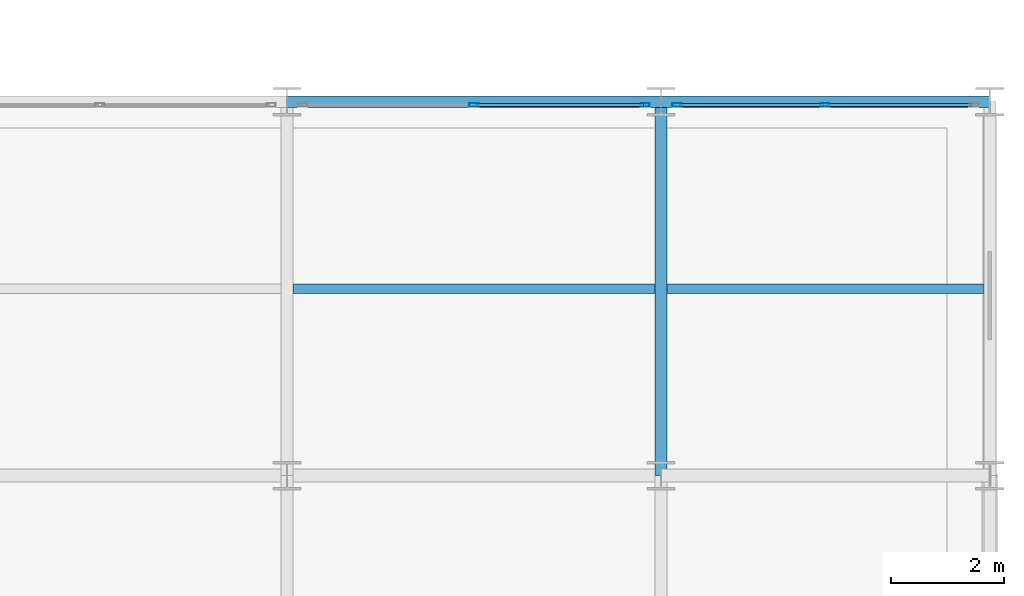
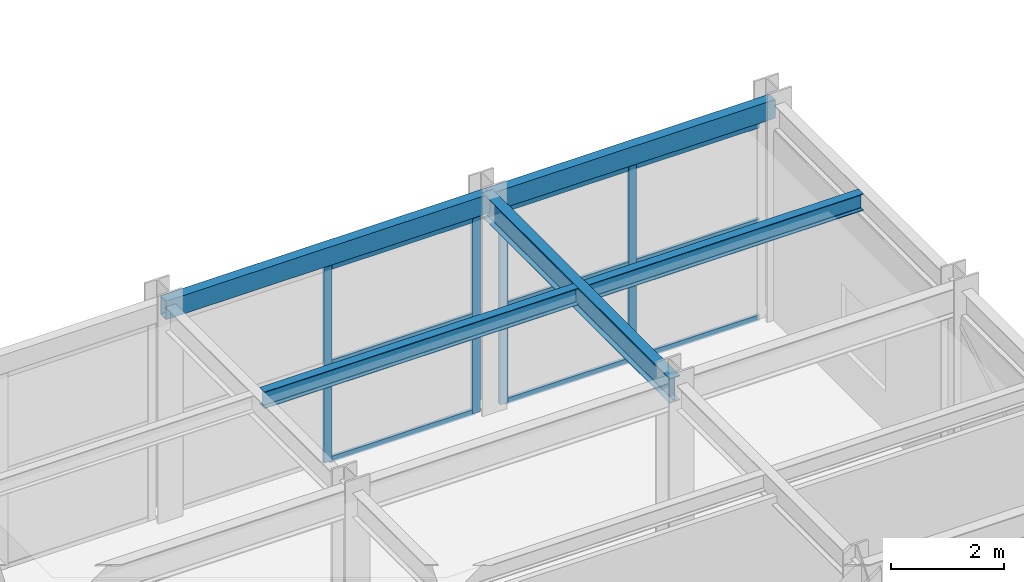
# One storey, part 96 of 144: 13 members, 5 beams, 2 elements without a shape of their own.
"""IFC4 building model written with IfcOpenShell, lengths in metres."""

from ifc_helpers import new_model, si_unit, direction, frame, origin, origin_2d, place, context, subcontext, project, spatial, hollow_rectangle, i_section, extrude, material, material_profile, profile_set, type_object, element, aggregate, save


model = new_model("IFC4")

# Units and contexts
model_context = context("Model", 3, precision=1e-05, world=origin(), true_north=direction((0.0, 1.0)))
body_context = subcontext(model_context, "Body", "Model", "MODEL_VIEW")
ifc_project = project(units=[si_unit("LENGTHUNIT", "METRE"), si_unit("AREAUNIT", "SQUARE_METRE"), si_unit("VOLUMEUNIT", "CUBIC_METRE"), si_unit("PLANEANGLEUNIT", "RADIAN"), si_unit("MASSUNIT", "GRAM", prefix="KILO")], contexts=[model_context])

# Site, building, storey
site_placement = place(None, origin())
site = spatial("IfcSite", under=ifc_project, at=site_placement, CompositionType="ELEMENT")
building_placement = place(site_placement, origin())
building = spatial("IfcBuilding", under=site, at=building_placement, Name="Karori Crest Natural Sciences Institute", CompositionType="ELEMENT")
storey_placement = place(building_placement, origin())
storey = spatial("IfcBuildingStorey", under=building, at=storey_placement, Name="L00", CompositionType="ELEMENT", Elevation=0.0)

# Beams
ifc_material_1 = material(Name="Structural steel AS/NZS 3679.1 Grade 350", Category="steel")
ifc_material_profile_1 = material_profile(ifc_material_1, i_section(OverallWidth=0.208984375, OverallDepth=0.532958984375, WebThickness=0.01025390625, FlangeThickness=0.015625, FilletRadius=0.013916015625, at=origin_2d()), Name="530UB92.4")
ifc_profile_set_1 = profile_set([ifc_material_profile_1], Name="Structural steel AS/NZS 3679.1 Grade 350")
beam_type_1 = type_object("IfcBeamType", Name="BT-05", PredefinedType="BEAM", material=ifc_profile_set_1)
beam_1_placement = place(storey_placement, frame((156.39990234375, 14.0, 4.353515625), z_axis=(0.0, 1.0, 0.0), x_axis=(-1.0, 0.0, 0.0)))
element("IfcBeam", 1, at=beam_1_placement, inside=storey, type_object=beam_type_1, Name="Beam B-2081", PredefinedType="BEAM", context=body_context, shape_type="SweptSolid", body=[
    extrude(i_section(OverallWidth=0.208984375, OverallDepth=0.532958984375, WebThickness=0.01025390625, FlangeThickness=0.015625, FilletRadius=0.013916015625, at=origin_2d()), origin(), (0.0, 0.0, 1.0), 6.60009765625),
])
ifc_material_profile_2 = material_profile(ifc_material_1, i_section(OverallWidth=0.172119140625, OverallDepth=0.35888671875, WebThickness=0.008056640625, FlangeThickness=0.012939453125, FilletRadius=0.010986328125, at=origin_2d()), Name="360UB56.7")
ifc_profile_set_2 = profile_set([ifc_material_profile_2], Name="Structural steel AS/NZS 3679.1 Grade 350")
beam_type_2 = type_object("IfcBeamType", Name="BT-08", PredefinedType="BEAM", material=ifc_profile_set_2)
beam_2_placement = place(storey_placement, frame((149.904541015625, 17.300048828125, 4.4404296875), z_axis=(1.0, 0.0, 0.0), x_axis=(0.0, 1.0, 0.0)))
element("IfcBeam", 2, at=beam_2_placement, inside=storey, type_object=beam_type_2, Name="Beam B-2105", PredefinedType="BEAM", context=body_context, shape_type="SweptSolid", body=[
    extrude(i_section(OverallWidth=0.172119140625, OverallDepth=0.35888671875, WebThickness=0.008056640625, FlangeThickness=0.012939453125, FilletRadius=0.010986328125, at=origin_2d()), origin(), (0.0, 0.0, 1.0), 6.390869140625),
])
beam_3_placement = place(storey_placement, frame((156.50439453125, 17.300048828125, 4.4404296875), z_axis=(1.0, 0.0, 0.0), x_axis=(0.0, 1.0, 0.0)))
element("IfcBeam", 3, at=beam_3_placement, inside=storey, type_object=beam_type_2, Name="Beam B-2108", PredefinedType="BEAM", context=body_context, shape_type="SweptSolid", body=[
    extrude(i_section(OverallWidth=0.172119140625, OverallDepth=0.35888671875, WebThickness=0.008056640625, FlangeThickness=0.012939453125, FilletRadius=0.010986328125, at=origin_2d()), origin(), (0.0, 0.0, 1.0), 5.591064453125),
])
ifc_material_2 = material(Name="Hollow structural steel AS/NZS 1163 Grade C350", Category="steel")
ifc_material_profile_3 = material_profile(ifc_material_2, hollow_rectangle(XDim=0.199951171875, YDim=0.39990234375, WallThickness=0.012451171875, at=origin_2d()), Name="RHS400x200x12.5")
ifc_profile_set_3 = profile_set([ifc_material_profile_3], Name="Hollow structural steel AS/NZS 1163 Grade C350")
beam_type_3 = type_object("IfcBeamType", Name="BT-14", PredefinedType="SPANDREL", material=ifc_profile_set_3)
beam_4_placement = place(storey_placement, frame((149.800048828125, 20.60009765625, 4.419921875), z_axis=(1.0, 0.0, 0.0), x_axis=(0.0, 1.0, 0.0)))
element("IfcBeam", 4, at=beam_4_placement, inside=storey, type_object=beam_type_3, Name="Beam B-2053", PredefinedType="SPANDREL", context=body_context, shape_type="SweptSolid", body=[
    extrude(hollow_rectangle(XDim=0.199951171875, YDim=0.39990234375, WallThickness=0.012451171875, at=origin_2d()), origin(), (0.0, 0.0, 1.0), 6.599853515625),
])
beam_5_placement = place(storey_placement, frame((156.39990234375, 20.60009765625, 4.419921875), z_axis=(1.0, 0.0, 0.0), x_axis=(0.0, 1.0, 0.0)))
element("IfcBeam", 5, at=beam_5_placement, inside=storey, type_object=beam_type_3, Name="Beam B-2054", PredefinedType="SPANDREL", context=body_context, shape_type="SweptSolid", body=[
    extrude(hollow_rectangle(XDim=0.199951171875, YDim=0.39990234375, WallThickness=0.012451171875, at=origin_2d()), origin(), (0.0, 0.0, 1.0), 5.800048828125),
])

# Curtain wall, members
ifc_material_3 = material(Name="Anodised architectural aluminium 6063-T6", Category="aluminium")
curtain_wall_type = type_object("IfcCurtainWallType", Name="CWT-20", PredefinedType="NOTDEFINED", material=ifc_material_3)
curtain_wall_1_placement = place(storey_placement, origin())
curtain_wall_1 = element("IfcCurtainWall", 6, at=curtain_wall_1_placement, inside=storey, type_object=curtain_wall_type, Name="Curtain wall CW-0302", PredefinedType="NOTDEFINED")
ifc_material_profile_4 = material_profile(ifc_material_3, hollow_rectangle(XDim=0.06494140625, YDim=0.159912109375, WallThickness=0.00390625, at=origin_2d()), Name="CWM160x65x4")
ifc_profile_set_4 = profile_set([ifc_material_profile_4], Name="Anodised architectural aluminium 6063-T6")
member_type_1 = type_object("IfcMemberType", Name="CWM-01", PredefinedType="MULLION", material=ifc_profile_set_4)
member_1_placement = place(storey_placement, frame((153.10009765625, 20.5400390625, 0.0), z_axis=(0.0, 0.0, 1.0), x_axis=(0.0, 1.0, 0.0)))
member_1 = element("IfcMember", 7, at=member_1_placement, type_object=member_type_1, Name="CW-0302 mullion 2", PredefinedType="MULLION", context=body_context, shape_type="SweptSolid", body=[
    extrude(hollow_rectangle(XDim=0.06494140625, YDim=0.159912109375, WallThickness=0.00390625, at=origin_2d()), origin(), (0.0, 0.0, 1.0), 4.205078125),
])
member_2_placement = place(storey_placement, frame((156.119384765625, 20.5400390625, 0.0), z_axis=(0.0, 0.0, 1.0), x_axis=(0.0, 1.0, 0.0)))
member_2 = element("IfcMember", 8, at=member_2_placement, type_object=member_type_1, Name="CW-0302 mullion 3", PredefinedType="MULLION", context=body_context, shape_type="SweptSolid", body=[
    extrude(hollow_rectangle(XDim=0.06494140625, YDim=0.159912109375, WallThickness=0.00390625, at=origin_2d()), origin(), (0.0, 0.0, 1.0), 4.205078125),
])

curtain_wall_2_placement = place(storey_placement, origin())
curtain_wall_2 = element("IfcCurtainWall", 9, at=curtain_wall_2_placement, inside=storey, type_object=curtain_wall_type, Name="Curtain wall CW-0303", PredefinedType="NOTDEFINED")
member_3_placement = place(storey_placement, frame((156.680419921875, 20.5400390625, 0.0), z_axis=(0.0, 0.0, 1.0), x_axis=(0.0, 1.0, 0.0)))
member_3 = element("IfcMember", 10, at=member_3_placement, type_object=member_type_1, Name="CW-0303 mullion 1", PredefinedType="MULLION", context=body_context, shape_type="SweptSolid", body=[
    extrude(hollow_rectangle(XDim=0.06494140625, YDim=0.159912109375, WallThickness=0.00390625, at=origin_2d()), origin(), (0.0, 0.0, 1.0), 4.205078125),
])
member_4_placement = place(storey_placement, frame((159.300048828125, 20.5400390625, 0.0), z_axis=(0.0, 0.0, 1.0), x_axis=(0.0, 1.0, 0.0)))
member_4 = element("IfcMember", 11, at=member_4_placement, type_object=member_type_1, Name="CW-0303 mullion 2", PredefinedType="MULLION", context=body_context, shape_type="SweptSolid", body=[
    extrude(hollow_rectangle(XDim=0.06494140625, YDim=0.159912109375, WallThickness=0.00390625, at=origin_2d()), origin(), (0.0, 0.0, 1.0), 4.205078125),
])

# Member
ifc_material_profile_5 = material_profile(ifc_material_3, hollow_rectangle(XDim=0.06005859375, YDim=0.1201171875, WallThickness=0.00390625, at=origin_2d()), Name="CWT120x60x4")
ifc_profile_set_5 = profile_set([ifc_material_profile_5], Name="Anodised architectural aluminium 6063-T6")
member_type_2 = type_object("IfcMemberType", Name="CWT-TR1", PredefinedType="USERDEFINED", material=ifc_profile_set_5)
member_5_placement = place(storey_placement, frame((153.132568359375, 20.5400390625, 0.030029296875), z_axis=(1.0, 0.0, 0.0), x_axis=(0.0, 1.0, 0.0)))
member_5 = element("IfcMember", 12, at=member_5_placement, type_object=member_type_2, Name="CW-0302 transom 2.1", ObjectType="TRANSOM", PredefinedType="USERDEFINED", context=body_context, shape_type="SweptSolid", body=[
    extrude(hollow_rectangle(XDim=0.06005859375, YDim=0.1201171875, WallThickness=0.00390625, at=origin_2d()), origin(), (0.0, 0.0, 1.0), 2.954345703125),
])

member_6_placement = place(storey_placement, frame((153.132568359375, 20.5400390625, 2.1025390625), z_axis=(1.0, 0.0, 0.0), x_axis=(0.0, 1.0, 0.0)))
member_6 = element("IfcMember", 13, at=member_6_placement, type_object=member_type_2, Name="CW-0302 transom 2.2", ObjectType="TRANSOM", PredefinedType="USERDEFINED", context=body_context, shape_type="SweptSolid", body=[
    extrude(hollow_rectangle(XDim=0.06005859375, YDim=0.1201171875, WallThickness=0.00390625, at=origin_2d()), origin(), (0.0, 0.0, 1.0), 2.954345703125),
])

member_7_placement = place(storey_placement, frame((153.132568359375, 20.5400390625, 4.175048828125), z_axis=(1.0, 0.0, 0.0), x_axis=(0.0, 1.0, 0.0)))
member_7 = element("IfcMember", 14, at=member_7_placement, type_object=member_type_2, Name="CW-0302 transom 2.3", ObjectType="TRANSOM", PredefinedType="USERDEFINED", context=body_context, shape_type="SweptSolid", body=[
    extrude(hollow_rectangle(XDim=0.06005859375, YDim=0.1201171875, WallThickness=0.00390625, at=origin_2d()), origin(), (0.0, 0.0, 1.0), 2.954345703125),
])

aggregate(curtain_wall_1, [member_1, member_2, member_5, member_6, member_7])

member_8_placement = place(storey_placement, frame((156.712890625, 20.5400390625, 0.030029296875), z_axis=(1.0, 0.0, 0.0), x_axis=(0.0, 1.0, 0.0)))
member_8 = element("IfcMember", 15, at=member_8_placement, type_object=member_type_2, Name="CW-0303 transom 1.1", ObjectType="TRANSOM", PredefinedType="USERDEFINED", context=body_context, shape_type="SweptSolid", body=[
    extrude(hollow_rectangle(XDim=0.06005859375, YDim=0.1201171875, WallThickness=0.00390625, at=origin_2d()), origin(), (0.0, 0.0, 1.0), 2.5546875),
])

member_9_placement = place(storey_placement, frame((156.712890625, 20.5400390625, 2.1025390625), z_axis=(1.0, 0.0, 0.0), x_axis=(0.0, 1.0, 0.0)))
member_9 = element("IfcMember", 16, at=member_9_placement, type_object=member_type_2, Name="CW-0303 transom 1.2", ObjectType="TRANSOM", PredefinedType="USERDEFINED", context=body_context, shape_type="SweptSolid", body=[
    extrude(hollow_rectangle(XDim=0.06005859375, YDim=0.1201171875, WallThickness=0.00390625, at=origin_2d()), origin(), (0.0, 0.0, 1.0), 2.5546875),
])

member_10_placement = place(storey_placement, frame((156.712890625, 20.5400390625, 4.175048828125), z_axis=(1.0, 0.0, 0.0), x_axis=(0.0, 1.0, 0.0)))
member_10 = element("IfcMember", 17, at=member_10_placement, type_object=member_type_2, Name="CW-0303 transom 1.3", ObjectType="TRANSOM", PredefinedType="USERDEFINED", context=body_context, shape_type="SweptSolid", body=[
    extrude(hollow_rectangle(XDim=0.06005859375, YDim=0.1201171875, WallThickness=0.00390625, at=origin_2d()), origin(), (0.0, 0.0, 1.0), 2.5546875),
])

member_11_placement = place(storey_placement, frame((159.33251953125, 20.5400390625, 0.030029296875), z_axis=(1.0, 0.0, 0.0), x_axis=(0.0, 1.0, 0.0)))
member_11 = element("IfcMember", 18, at=member_11_placement, type_object=member_type_2, Name="CW-0303 transom 2.1", ObjectType="TRANSOM", PredefinedType="USERDEFINED", context=body_context, shape_type="SweptSolid", body=[
    extrude(hollow_rectangle(XDim=0.06005859375, YDim=0.1201171875, WallThickness=0.00390625, at=origin_2d()), origin(), (0.0, 0.0, 1.0), 2.554443359375),
])

member_12_placement = place(storey_placement, frame((159.33251953125, 20.5400390625, 2.1025390625), z_axis=(1.0, 0.0, 0.0), x_axis=(0.0, 1.0, 0.0)))
member_12 = element("IfcMember", 19, at=member_12_placement, type_object=member_type_2, Name="CW-0303 transom 2.2", ObjectType="TRANSOM", PredefinedType="USERDEFINED", context=body_context, shape_type="SweptSolid", body=[
    extrude(hollow_rectangle(XDim=0.06005859375, YDim=0.1201171875, WallThickness=0.00390625, at=origin_2d()), origin(), (0.0, 0.0, 1.0), 2.554443359375),
])

member_13_placement = place(storey_placement, frame((159.33251953125, 20.5400390625, 4.175048828125), z_axis=(1.0, 0.0, 0.0), x_axis=(0.0, 1.0, 0.0)))
member_13 = element("IfcMember", 20, at=member_13_placement, type_object=member_type_2, Name="CW-0303 transom 2.3", ObjectType="TRANSOM", PredefinedType="USERDEFINED", context=body_context, shape_type="SweptSolid", body=[
    extrude(hollow_rectangle(XDim=0.06005859375, YDim=0.1201171875, WallThickness=0.00390625, at=origin_2d()), origin(), (0.0, 0.0, 1.0), 2.554443359375),
])

aggregate(curtain_wall_2, [member_3, member_4, member_8, member_9, member_10, member_11, member_12, member_13])

save(model, "model.ifc")
